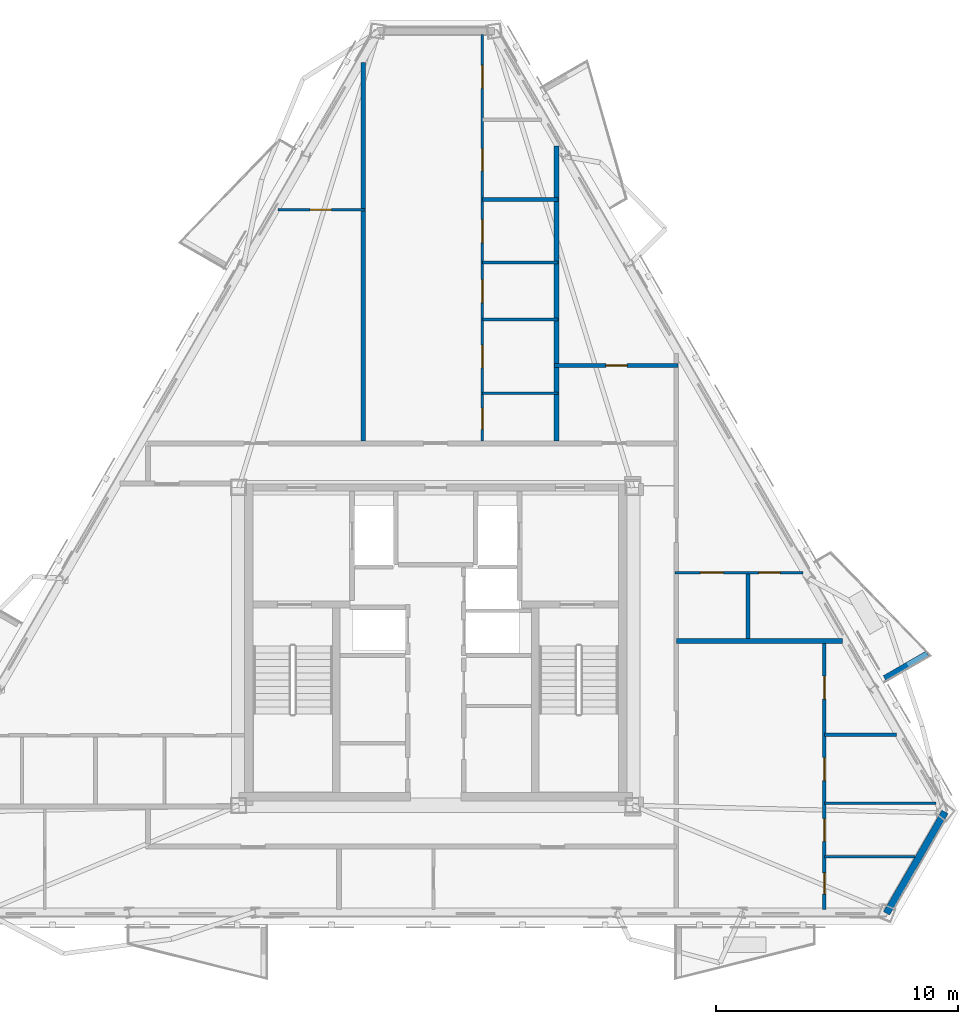
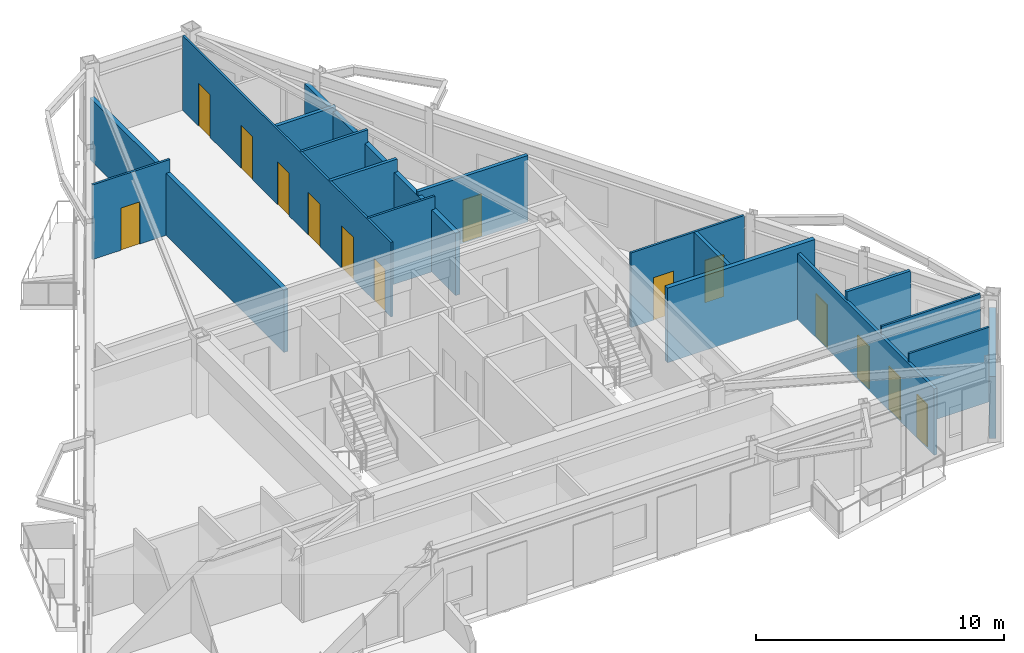
# One storey, part 5 of 9: 18 walls, 14 doors, 14 openings.
"""IFC4 building model written with IfcOpenShell, lengths in metres."""

from ifc_helpers import new_model, si_unit, direction, frame, frame_2d, origin, place, context, subcontext, project, spatial, polyline, rectangle, outline, extrude, material, layer, layer_set, type_object, element, fill, save


model = new_model("IFC4")

# Units and contexts
model_context = context("Model", 3, precision=1e-05, world=origin(), true_north=direction((0.0, 1.0)))
body_context = subcontext(model_context, "Body", "Model", "MODEL_VIEW")
ifc_project = project(units=[si_unit("LENGTHUNIT", "METRE"), si_unit("AREAUNIT", "SQUARE_METRE"), si_unit("VOLUMEUNIT", "CUBIC_METRE"), si_unit("PLANEANGLEUNIT", "RADIAN"), si_unit("MASSUNIT", "GRAM", prefix="KILO")], contexts=[model_context])

# Site, building, storey
site_placement = place(None, origin())
site = spatial("IfcSite", under=ifc_project, at=site_placement, CompositionType="ELEMENT")
building_placement = place(site_placement, origin())
building = spatial("IfcBuilding", under=site, at=building_placement, Name="Oramaril Tower", CompositionType="ELEMENT")
storey_placement = place(building_placement, frame((0.0, 0.0, 269.39990234375)))
storey = spatial("IfcBuildingStorey", under=building, at=storey_placement, Name="L71", CompositionType="ELEMENT", Elevation=269.39990234375)

# Walls
ifc_material_1 = material(Name="Warm Cream Limestone", Category="masonry")
ifc_layer_1 = layer(ifc_material_1, 0.2900390625)
ifc_layer_set_1 = layer_set([ifc_layer_1], Name="WT-EXT29")
wall_type_1 = type_object("IfcWallType", Name="WT-EXT29", PredefinedType="SOLIDWALL", material=ifc_layer_set_1)
wall_1_placement = place(storey_placement, frame((56.14794921875, 6.53466796875, 0.0), z_axis=(0.0, 0.0, 1.0), x_axis=(0.499973841066, 0.866040506125, 0.0)))
element("IfcWall", 1, at=wall_1_placement, inside=storey, type_object=wall_type_1, Name="L71 Tower Limestone Facade Wall 3M", PredefinedType="SOLIDWALL", context=body_context, shape_type="SweptSolid", body=[
    extrude(rectangle(XDim=4.847900390625, YDim=0.2900390625, at=frame_2d((2.423828125, 0.0))), origin(), (0.0, 0.0, 1.0), 3.05810546875),
])
ifc_material_2 = material(Name="Concrete C40/50", Category="concrete")
ifc_layer_2 = layer(ifc_material_2, 0.22998046875)
ifc_layer_set_2 = layer_set([ifc_layer_2], Name="WT-PRP23")
wall_type_2 = type_object("IfcWallType", Name="WT-PRP23", PredefinedType="PARAPET", material=ifc_layer_set_2)
wall_2_placement = place(storey_placement, frame((56.070068359375, 16.262451171875, 0.0), z_axis=(0.0, 0.0, 1.0), x_axis=(0.866012356593, 0.500022597718, 0.0)))
element("IfcWall", 2, at=wall_2_placement, inside=storey, type_object=wall_type_2, Name="L71 Trapezoidal Balcony Frame Cheek L71-BAL-NE1-L", PredefinedType="PARAPET", context=body_context, shape_type="SweptSolid", body=[
    extrude(outline(polyline([(0.0, 0.0), (2.0419921875, 0.0), (2.0419921875, 1.10009765625), (0.0, 1.320068359375), (0.0, 0.0)])), frame((0.0, 0.114990234375, 0.0), z_axis=(0.0, -1.0, 0.0), x_axis=(1.0, 0.0, 0.0)), (0.0, 0.0, 1.0), 0.22998046875),
])
ifc_material_3 = material(Name="Acoustic Gypsum Board Partition")
ifc_layer_3 = layer(ifc_material_3, 0.10009765625)
ifc_layer_set_3 = layer_set([ifc_layer_3], Name="WT-PT10")
wall_type_3 = type_object("IfcWallType", Name="WT-PT10", PredefinedType="PARTITIONING", material=ifc_layer_set_3)
wall_3_placement = place(storey_placement, frame((53.581298828125, 8.8798828125, 0.0), z_axis=(0.0, 0.0, 1.0), x_axis=(1.0, 0.0, 0.0)))
element("IfcWall", 3, at=wall_3_placement, inside=storey, type_object=wall_type_3, Name="L71 Interior Partition PT-10", PredefinedType="PARTITIONING", context=body_context, shape_type="SweptSolid", body=[
    extrude(rectangle(XDim=3.74853515625, YDim=0.10009765625, at=frame_2d((1.874267578125, 0.0))), origin(), (0.0, 0.0, 1.0), 3.68017578125),
])
wall_4_placement = place(storey_placement, frame((53.581298828125, 11.090087890625, 0.0), z_axis=(0.0, 0.0, 1.0), x_axis=(1.0, 0.0, 0.0)))
element("IfcWall", 4, at=wall_4_placement, inside=storey, type_object=wall_type_3, Name="L71 Interior Partition PT-10", PredefinedType="PARTITIONING", context=body_context, shape_type="SweptSolid", body=[
    extrude(rectangle(XDim=4.6123046875, YDim=0.10009765625, at=frame_2d((2.30615234375, 0.0))), origin(), (0.0, 0.0, 1.0), 3.68017578125),
])

# Wall, openings, doors
wall_5_placement = place(storey_placement, frame((47.39990234375, 20.6298828125, 0.0), z_axis=(0.0, 0.0, 1.0), x_axis=(1.0, 0.0, 0.0)))
wall_5 = element("IfcWall", 5, at=wall_5_placement, inside=storey, type_object=wall_type_3, Name="L71 Interior Partition PT-10", PredefinedType="PARTITIONING", context=body_context, shape_type="SweptSolid", body=[
    extrude(rectangle(XDim=5.285888671875, YDim=0.10009765625, at=frame_2d((2.64306640625, 0.0))), origin(), (0.0, 0.0, 1.0), 3.68017578125),
])
opening_1_placement = place(wall_5_placement, frame((1.04541015625, 0.0, 0.0)))
opening_1 = element("IfcOpeningElement", 6, at=opening_1_placement, cuts=wall_5, Name="Opening D-L71-07", PredefinedType="OPENING", context=body_context, shape_type="SweptSolid", body=[
    extrude(rectangle(XDim=0.949951171875, YDim=2.10009765625, at=frame_2d((0.47509765625, 1.050048828125))), frame((0.0, 0.050048828125, 0.0), z_axis=(0.0, -1.0, 0.0), x_axis=(1.0, 0.0, 0.0)), (0.0, 0.0, 1.0), 0.10009765625),
])
opening_2_placement = place(wall_5_placement, frame((3.464111328125, 0.0, 0.0)))
opening_2 = element("IfcOpeningElement", 7, at=opening_2_placement, cuts=wall_5, Name="Opening D-L71-08", PredefinedType="OPENING", context=body_context, shape_type="SweptSolid", body=[
    extrude(rectangle(XDim=0.8798828125, YDim=2.080078125, at=frame_2d((0.43994140625, 1.0400390625))), frame((0.0, 0.050048828125, 0.0), z_axis=(0.0, -1.0, 0.0), x_axis=(1.0, 0.0, 0.0)), (0.0, 0.0, 1.0), 0.10009765625),
])
ifc_material_4 = material(Name="FSC Brazilian Freijo Hardwood", Category="wood")
door_type_1 = type_object("IfcDoorType", Name="DT-BATH", OperationType="NOTDEFINED", PredefinedType="DOOR", material=ifc_material_4)
door_1_placement = place(opening_2_placement, origin())
door_1 = element("IfcDoor", 8, at=door_1_placement, inside=storey, type_object=door_type_1, Name="L71 Flat L71-U5 Bathroom Door D-L71-08", OperationType="SINGLE_SWING_LEFT", OverallHeight=2.080078125, OverallWidth=0.8798828125, PredefinedType="DOOR", context=body_context, shape_type="SweptSolid", body=[
    extrude(rectangle(XDim=0.8798828125, YDim=2.080078125, at=frame_2d((0.43994140625, 1.0400390625))), frame((0.0, 0.02490234375, 0.0), z_axis=(0.0, -1.0, 0.0), x_axis=(1.0, 0.0, 0.0)), (0.0, 0.0, 1.0), 0.050048828125),
])
fill(opening_2, door_1)
ifc_material_5 = material(Name="FSC Brazilian Freijo Hardwood", Category="wood")
door_type_2 = type_object("IfcDoorType", Name="DT-STDY", OperationType="NOTDEFINED", PredefinedType="DOOR", material=ifc_material_5)
door_2_placement = place(opening_1_placement, origin())
door_2 = element("IfcDoor", 9, at=door_2_placement, inside=storey, type_object=door_type_2, Name="L71 Flat L71-U5 Kitchen Door D-L71-07", OperationType="SINGLE_SWING_RIGHT", OverallHeight=2.10009765625, OverallWidth=0.949951171875, PredefinedType="DOOR", context=body_context, shape_type="SweptSolid", body=[
    extrude(rectangle(XDim=0.949951171875, YDim=2.10009765625, at=frame_2d((0.47509765625, 1.050048828125))), frame((0.0, 0.02490234375, 0.0), z_axis=(0.0, -1.0, 0.0), x_axis=(1.0, 0.0, 0.0)), (0.0, 0.0, 1.0), 0.050048828125),
])
fill(opening_1, door_2)

# Wall
wall_6_placement = place(storey_placement, frame((39.429931640625, 28.050048828125, 0.0), z_axis=(0.0, 0.0, 1.0), x_axis=(1.0, 0.0, 0.0)))
element("IfcWall", 10, at=wall_6_placement, inside=storey, type_object=wall_type_3, Name="L71 Interior Partition PT-10", PredefinedType="PARTITIONING", context=body_context, shape_type="SweptSolid", body=[
    extrude(rectangle(XDim=3.1201171875, YDim=0.10009765625, at=frame_2d((1.56005859375, 0.0))), origin(), (0.0, 0.0, 1.0), 3.68017578125),
])

# Wall, opening, door
wall_7_placement = place(storey_placement, frame((30.980224609375, 35.639892578125, 0.0), z_axis=(0.0, 0.0, 1.0), x_axis=(1.0, 0.0, 0.0)))
wall_7 = element("IfcWall", 11, at=wall_7_placement, inside=storey, type_object=wall_type_3, Name="L71 Interior Partition PT-10", PredefinedType="PARTITIONING", context=body_context, shape_type="SweptSolid", body=[
    extrude(rectangle(XDim=3.601806640625, YDim=0.10009765625, at=frame_2d((1.80078125, 0.0))), origin(), (0.0, 0.0, 1.0), 3.68017578125),
])
opening_3_placement = place(wall_7_placement, frame((1.319580078125, 0.0, 0.0)))
opening_3 = element("IfcOpeningElement", 12, at=opening_3_placement, cuts=wall_7, Name="Opening D-L71-14", PredefinedType="OPENING", context=body_context, shape_type="SweptSolid", body=[
    extrude(rectangle(XDim=0.8798828125, YDim=2.080078125, at=frame_2d((0.43994140625, 1.0400390625))), frame((0.0, 0.050048828125, 0.0), z_axis=(0.0, -1.0, 0.0), x_axis=(1.0, 0.0, 0.0)), (0.0, 0.0, 1.0), 0.10009765625),
])
door_3_placement = place(opening_3_placement, origin())
door_3 = element("IfcDoor", 13, at=door_3_placement, inside=storey, type_object=door_type_1, Name="L71 Flat L71-U6 Bathroom Door D-L71-14", OperationType="SINGLE_SWING_LEFT", OverallHeight=2.080078125, OverallWidth=0.8798828125, PredefinedType="DOOR", context=body_context, shape_type="SweptSolid", body=[
    extrude(rectangle(XDim=0.8798828125, YDim=2.080078125, at=frame_2d((0.43994140625, 1.0400390625))), frame((0.0, 0.02490234375, 0.0), z_axis=(0.0, -1.0, 0.0), x_axis=(1.0, 0.0, 0.0)), (0.0, 0.0, 1.0), 0.050048828125),
])
fill(opening_3, door_3)

# Wall, openings, doors
wall_8_placement = place(storey_placement, frame((39.429931640625, 26.073974609375, 0.0), z_axis=(0.0, 0.0, 1.0), x_axis=(0.0, 1.0, 0.0)))
wall_8 = element("IfcWall", 14, at=wall_8_placement, inside=storey, type_object=wall_type_3, Name="L71 Interior Partition PT-10", PredefinedType="PARTITIONING", context=body_context, shape_type="SweptSolid", body=[
    extrude(rectangle(XDim=16.809326171875, YDim=0.10009765625, at=frame_2d((8.40478515625, 0.0))), origin(), (0.0, 0.0, 1.0), 3.68017578125),
])
opening_4_placement = place(wall_8_placement, frame((0.47900390625, 0.0, 0.0)))
opening_4 = element("IfcOpeningElement", 15, at=opening_4_placement, cuts=wall_8, Name="Opening D-L71-17", PredefinedType="OPENING", context=body_context, shape_type="SweptSolid", body=[
    extrude(rectangle(XDim=0.8798828125, YDim=2.080078125, at=frame_2d((0.43994140625, 1.0400390625))), frame((0.0, 0.050048828125, 0.0), z_axis=(0.0, -1.0, 0.0), x_axis=(1.0, 0.0, 0.0)), (0.0, 0.0, 1.0), 0.10009765625),
])
opening_5_placement = place(wall_8_placement, frame((3.021728515625, 0.0, 0.0)))
opening_5 = element("IfcOpeningElement", 16, at=opening_5_placement, cuts=wall_8, Name="Opening D-L71-18", PredefinedType="OPENING", context=body_context, shape_type="SweptSolid", body=[
    extrude(rectangle(XDim=0.949951171875, YDim=2.10009765625, at=frame_2d((0.47509765625, 1.050048828125))), frame((0.0, 0.050048828125, 0.0), z_axis=(0.0, -1.0, 0.0), x_axis=(1.0, 0.0, 0.0)), (0.0, 0.0, 1.0), 0.10009765625),
])
opening_6_placement = place(wall_8_placement, frame((5.728515625, 0.0, 0.0)))
opening_6 = element("IfcOpeningElement", 17, at=opening_6_placement, cuts=wall_8, Name="Opening D-L71-19", PredefinedType="OPENING", context=body_context, shape_type="SweptSolid", body=[
    extrude(rectangle(XDim=0.949951171875, YDim=2.10009765625, at=frame_2d((0.47509765625, 1.050048828125))), frame((0.0, 0.050048828125, 0.0), z_axis=(0.0, -1.0, 0.0), x_axis=(1.0, 0.0, 0.0)), (0.0, 0.0, 1.0), 0.10009765625),
])
opening_7_placement = place(wall_8_placement, frame((8.2099609375, 0.0, 0.0)))
opening_7 = element("IfcOpeningElement", 18, at=opening_7_placement, cuts=wall_8, Name="Opening D-L71-20", PredefinedType="OPENING", context=body_context, shape_type="SweptSolid", body=[
    extrude(rectangle(XDim=0.949951171875, YDim=2.10009765625, at=frame_2d((0.47509765625, 1.050048828125))), frame((0.0, 0.050048828125, 0.0), z_axis=(0.0, -1.0, 0.0), x_axis=(1.0, 0.0, 0.0)), (0.0, 0.0, 1.0), 0.10009765625),
])
opening_8_placement = place(wall_8_placement, frame((11.178955078125, 0.0, 0.0)))
opening_8 = element("IfcOpeningElement", 19, at=opening_8_placement, cuts=wall_8, Name="Opening D-L71-21", PredefinedType="OPENING", context=body_context, shape_type="SweptSolid", body=[
    extrude(rectangle(XDim=0.919921875, YDim=2.1201171875, at=frame_2d((0.4599609375, 1.06005859375))), frame((0.0, 0.050048828125, 0.0), z_axis=(0.0, -1.0, 0.0), x_axis=(1.0, 0.0, 0.0)), (0.0, 0.0, 1.0), 0.10009765625),
])
opening_9_placement = place(wall_8_placement, frame((14.5908203125, 0.0, 0.0)))
opening_9 = element("IfcOpeningElement", 20, at=opening_9_placement, cuts=wall_8, Name="Opening D-L71-22", PredefinedType="OPENING", context=body_context, shape_type="SweptSolid", body=[
    extrude(rectangle(XDim=0.949951171875, YDim=2.10009765625, at=frame_2d((0.47509765625, 1.050048828125))), frame((0.0, 0.050048828125, 0.0), z_axis=(0.0, -1.0, 0.0), x_axis=(1.0, 0.0, 0.0)), (0.0, 0.0, 1.0), 0.10009765625),
])
door_4_placement = place(opening_4_placement, origin())
door_4 = element("IfcDoor", 21, at=door_4_placement, inside=storey, type_object=door_type_1, Name="L71 Flat L71-U7 Bathroom Door D-L71-17", OperationType="SINGLE_SWING_RIGHT", OverallHeight=2.080078125, OverallWidth=0.8798828125, PredefinedType="DOOR", context=body_context, shape_type="SweptSolid", body=[
    extrude(rectangle(XDim=0.8798828125, YDim=2.080078125, at=frame_2d((0.43994140625, 1.0400390625))), frame((0.0, 0.02490234375, 0.0), z_axis=(0.0, -1.0, 0.0), x_axis=(1.0, 0.0, 0.0)), (0.0, 0.0, 1.0), 0.050048828125),
])
fill(opening_4, door_4)
ifc_material_6 = material(Name="FSC Brazilian Freijo Hardwood", Category="wood")
door_type_3 = type_object("IfcDoorType", Name="DT-BED", OperationType="NOTDEFINED", PredefinedType="DOOR", material=ifc_material_6)
door_5_placement = place(opening_8_placement, origin())
door_5 = element("IfcDoor", 22, at=door_5_placement, inside=storey, type_object=door_type_3, Name="L71 Flat L71-U7 Bedroom 2 Door D-L71-21", OperationType="SINGLE_SWING_RIGHT", OverallHeight=2.1201171875, OverallWidth=0.919921875, PredefinedType="DOOR", context=body_context, shape_type="SweptSolid", body=[
    extrude(rectangle(XDim=0.919921875, YDim=2.1201171875, at=frame_2d((0.4599609375, 1.06005859375))), frame((0.0, 0.02490234375, 0.0), z_axis=(0.0, -1.0, 0.0), x_axis=(1.0, 0.0, 0.0)), (0.0, 0.0, 1.0), 0.050048828125),
])
fill(opening_8, door_5)
door_6_placement = place(opening_5_placement, origin())
door_6 = element("IfcDoor", 23, at=door_6_placement, inside=storey, type_object=door_type_2, Name="L71 Flat L71-U7 Kitchen Door D-L71-18", OperationType="SINGLE_SWING_LEFT", OverallHeight=2.10009765625, OverallWidth=0.949951171875, PredefinedType="DOOR", context=body_context, shape_type="SweptSolid", body=[
    extrude(rectangle(XDim=0.949951171875, YDim=2.10009765625, at=frame_2d((0.47509765625, 1.050048828125))), frame((0.0, 0.02490234375, 0.0), z_axis=(0.0, -1.0, 0.0), x_axis=(1.0, 0.0, 0.0)), (0.0, 0.0, 1.0), 0.050048828125),
])
fill(opening_5, door_6)
door_7_placement = place(opening_6_placement, origin())
door_7 = element("IfcDoor", 24, at=door_7_placement, inside=storey, type_object=door_type_2, Name="L71 Flat L71-U7 Private Dining Room Door D-L71-19", OperationType="SINGLE_SWING_RIGHT", OverallHeight=2.10009765625, OverallWidth=0.949951171875, PredefinedType="DOOR", context=body_context, shape_type="SweptSolid", body=[
    extrude(rectangle(XDim=0.949951171875, YDim=2.10009765625, at=frame_2d((0.47509765625, 1.050048828125))), frame((0.0, 0.02490234375, 0.0), z_axis=(0.0, -1.0, 0.0), x_axis=(1.0, 0.0, 0.0)), (0.0, 0.0, 1.0), 0.050048828125),
])
fill(opening_6, door_7)
door_8_placement = place(opening_7_placement, origin())
door_8 = element("IfcDoor", 25, at=door_8_placement, inside=storey, type_object=door_type_2, Name="L71 Flat L71-U7 Dining Room Door D-L71-20", OperationType="SINGLE_SWING_LEFT", OverallHeight=2.10009765625, OverallWidth=0.949951171875, PredefinedType="DOOR", context=body_context, shape_type="SweptSolid", body=[
    extrude(rectangle(XDim=0.949951171875, YDim=2.10009765625, at=frame_2d((0.47509765625, 1.050048828125))), frame((0.0, 0.02490234375, 0.0), z_axis=(0.0, -1.0, 0.0), x_axis=(1.0, 0.0, 0.0)), (0.0, 0.0, 1.0), 0.050048828125),
])
fill(opening_7, door_8)
door_9_placement = place(opening_9_placement, origin())
door_9 = element("IfcDoor", 26, at=door_9_placement, inside=storey, type_object=door_type_2, Name="L71 Flat L71-U7 Breakfast Dining Room Door D-L71-22", OperationType="SINGLE_SWING_LEFT", OverallHeight=2.10009765625, OverallWidth=0.949951171875, PredefinedType="DOOR", context=body_context, shape_type="SweptSolid", body=[
    extrude(rectangle(XDim=0.949951171875, YDim=2.10009765625, at=frame_2d((0.47509765625, 1.050048828125))), frame((0.0, 0.02490234375, 0.0), z_axis=(0.0, -1.0, 0.0), x_axis=(1.0, 0.0, 0.0)), (0.0, 0.0, 1.0), 0.050048828125),
])
fill(opening_9, door_9)

# Walls
ifc_material_7 = material(Name="Acoustic Gypsum Board Partition")
ifc_layer_4 = layer(ifc_material_7, 0.1201171875)
ifc_layer_set_4 = layer_set([ifc_layer_4], Name="WT-PT12")
wall_type_4 = type_object("IfcWallType", Name="WT-PT12", PredefinedType="PARTITIONING", material=ifc_layer_set_4)
wall_9_placement = place(storey_placement, frame((39.429931640625, 33.4599609375, 0.0), z_axis=(0.0, 0.0, 1.0), x_axis=(1.0, 0.0, 0.0)))
element("IfcWall", 27, at=wall_9_placement, inside=storey, type_object=wall_type_4, Name="L71 Interior Partition PT-12", PredefinedType="PARTITIONING", context=body_context, shape_type="SweptSolid", body=[
    extrude(rectangle(XDim=3.1201171875, YDim=0.1201171875, at=frame_2d((1.56005859375, 0.0))), origin(), (0.0, 0.0, 1.0), 3.68017578125),
])
ifc_material_8 = material(Name="Acoustic Gypsum Board Partition")
ifc_layer_5 = layer(ifc_material_8, 0.139892578125)
ifc_layer_set_5 = layer_set([ifc_layer_5], Name="WT-PT14")
wall_type_5 = type_object("IfcWallType", Name="WT-PT14", PredefinedType="PARTITIONING", material=ifc_layer_set_5)
wall_10_placement = place(storey_placement, frame((53.581298828125, 13.919921875, 0.0), z_axis=(0.0, 0.0, 1.0), x_axis=(1.0, 0.0, 0.0)))
element("IfcWall", 28, at=wall_10_placement, inside=storey, type_object=wall_type_5, Name="L71 Interior Partition PT-14", PredefinedType="PARTITIONING", context=body_context, shape_type="SweptSolid", body=[
    extrude(rectangle(XDim=2.978515625, YDim=0.139892578125, at=frame_2d((1.4892578125, 0.0))), origin(), (0.0, 0.0, 1.0), 3.68017578125),
])
wall_11_placement = place(storey_placement, frame((39.429931640625, 31.10009765625, 0.0), z_axis=(0.0, 0.0, 1.0), x_axis=(1.0, 0.0, 0.0)))
element("IfcWall", 29, at=wall_11_placement, inside=storey, type_object=wall_type_5, Name="L71 Interior Partition PT-14", PredefinedType="PARTITIONING", context=body_context, shape_type="SweptSolid", body=[
    extrude(rectangle(XDim=3.1201171875, YDim=0.139892578125, at=frame_2d((1.56005859375, 0.0))), origin(), (0.0, 0.0, 1.0), 3.68017578125),
])

# Wall, openings, doors
wall_12_placement = place(storey_placement, frame((53.580078125, 6.68359375, 0.0), z_axis=(0.0, 0.0, 1.0), x_axis=(0.0, 1.0, 0.0)))
wall_12 = element("IfcWall", 30, at=wall_12_placement, inside=storey, type_object=wall_type_5, Name="L71 Interior Partition PT-14", PredefinedType="PARTITIONING", context=body_context, shape_type="SweptSolid", body=[
    extrude(rectangle(XDim=11.012451171875, YDim=0.139892578125, at=frame_2d((5.50634765625, 0.0))), origin(), (0.0, 0.0, 1.0), 3.26611328125),
])
opening_10_placement = place(wall_12_placement, frame((0.64208984375, 0.0, 0.0)))
opening_10 = element("IfcOpeningElement", 31, at=opening_10_placement, cuts=wall_12, Name="Opening D-L71-25", PredefinedType="OPENING", context=body_context, shape_type="SweptSolid", body=[
    extrude(rectangle(XDim=0.8798828125, YDim=2.080078125, at=frame_2d((0.43994140625, 1.0400390625))), frame((0.0, 0.06982421875, 0.0), z_axis=(0.0, -1.0, 0.0), x_axis=(1.0, 0.0, 0.0)), (0.0, 0.0, 1.0), 0.139892578125),
])
opening_11_placement = place(wall_12_placement, frame((2.822509765625, 0.0, 0.0)))
opening_11 = element("IfcOpeningElement", 32, at=opening_11_placement, cuts=wall_12, Name="Opening D-L71-26", PredefinedType="OPENING", context=body_context, shape_type="SweptSolid", body=[
    extrude(rectangle(XDim=0.949951171875, YDim=2.10009765625, at=frame_2d((0.47509765625, 1.050048828125))), frame((0.0, 0.06982421875, 0.0), z_axis=(0.0, -1.0, 0.0), x_axis=(1.0, 0.0, 0.0)), (0.0, 0.0, 1.0), 0.139892578125),
])
opening_12_placement = place(wall_12_placement, frame((5.343505859375, 0.0, 0.0)))
opening_12 = element("IfcOpeningElement", 33, at=opening_12_placement, cuts=wall_12, Name="Opening D-L71-27", PredefinedType="OPENING", context=body_context, shape_type="SweptSolid", body=[
    extrude(rectangle(XDim=0.949951171875, YDim=2.10009765625, at=frame_2d((0.47509765625, 1.050048828125))), frame((0.0, 0.06982421875, 0.0), z_axis=(0.0, -1.0, 0.0), x_axis=(1.0, 0.0, 0.0)), (0.0, 0.0, 1.0), 0.139892578125),
])
opening_13_placement = place(wall_12_placement, frame((8.715576171875, 0.0, 0.0)))
opening_13 = element("IfcOpeningElement", 34, at=opening_13_placement, cuts=wall_12, Name="Opening D-L71-28", PredefinedType="OPENING", context=body_context, shape_type="SweptSolid", body=[
    extrude(rectangle(XDim=0.949951171875, YDim=2.10009765625, at=frame_2d((0.47509765625, 1.050048828125))), frame((0.0, 0.06982421875, 0.0), z_axis=(0.0, -1.0, 0.0), x_axis=(1.0, 0.0, 0.0)), (0.0, 0.0, 1.0), 0.139892578125),
])
door_10_placement = place(opening_10_placement, origin())
door_10 = element("IfcDoor", 35, at=door_10_placement, inside=storey, type_object=door_type_1, Name="L71 Flat L71-U4 Bathroom Door D-L71-25", OperationType="SINGLE_SWING_RIGHT", OverallHeight=2.080078125, OverallWidth=0.8798828125, PredefinedType="DOOR", context=body_context, shape_type="SweptSolid", body=[
    extrude(rectangle(XDim=0.8798828125, YDim=2.080078125, at=frame_2d((0.43994140625, 1.0400390625))), frame((0.0, 0.02490234375, 0.0), z_axis=(0.0, -1.0, 0.0), x_axis=(1.0, 0.0, 0.0)), (0.0, 0.0, 1.0), 0.050048828125),
])
fill(opening_10, door_10)
door_11_placement = place(opening_11_placement, origin())
door_11 = element("IfcDoor", 36, at=door_11_placement, inside=storey, type_object=door_type_2, Name="L71 Flat L71-U4 Kitchen Door D-L71-26", OperationType="SINGLE_SWING_LEFT", OverallHeight=2.10009765625, OverallWidth=0.949951171875, PredefinedType="DOOR", context=body_context, shape_type="SweptSolid", body=[
    extrude(rectangle(XDim=0.949951171875, YDim=2.10009765625, at=frame_2d((0.47509765625, 1.050048828125))), frame((0.0, 0.02490234375, 0.0), z_axis=(0.0, -1.0, 0.0), x_axis=(1.0, 0.0, 0.0)), (0.0, 0.0, 1.0), 0.050048828125),
])
fill(opening_11, door_11)
door_12_placement = place(opening_12_placement, origin())
door_12 = element("IfcDoor", 37, at=door_12_placement, inside=storey, type_object=door_type_2, Name="L71 Flat L71-U4 Reading Study Door D-L71-27", OperationType="SINGLE_SWING_RIGHT", OverallHeight=2.10009765625, OverallWidth=0.949951171875, PredefinedType="DOOR", context=body_context, shape_type="SweptSolid", body=[
    extrude(rectangle(XDim=0.949951171875, YDim=2.10009765625, at=frame_2d((0.47509765625, 1.050048828125))), frame((0.0, 0.02490234375, 0.0), z_axis=(0.0, -1.0, 0.0), x_axis=(1.0, 0.0, 0.0)), (0.0, 0.0, 1.0), 0.050048828125),
])
fill(opening_12, door_12)
door_13_placement = place(opening_13_placement, origin())
door_13 = element("IfcDoor", 38, at=door_13_placement, inside=storey, type_object=door_type_2, Name="L71 Flat L71-U4 Breakfast Dining Room Door D-L71-28", OperationType="SINGLE_SWING_LEFT", OverallHeight=2.10009765625, OverallWidth=0.949951171875, PredefinedType="DOOR", context=body_context, shape_type="SweptSolid", body=[
    extrude(rectangle(XDim=0.949951171875, YDim=2.10009765625, at=frame_2d((0.47509765625, 1.050048828125))), frame((0.0, 0.02490234375, 0.0), z_axis=(0.0, -1.0, 0.0), x_axis=(1.0, 0.0, 0.0)), (0.0, 0.0, 1.0), 0.050048828125),
])
fill(opening_13, door_13)

# Wall, opening, door
ifc_material_9 = material(Name="Acoustic Gypsum Board Partition")
ifc_layer_6 = layer(ifc_material_9, 0.159912109375)
ifc_layer_set_6 = layer_set([ifc_layer_6], Name="WT-PT16")
wall_type_6 = type_object("IfcWallType", Name="WT-PT16", PredefinedType="PARTITIONING", material=ifc_layer_set_6)
wall_13_placement = place(storey_placement, frame((42.41796875, 29.199951171875, 0.0), z_axis=(0.0, 0.0, 1.0), x_axis=(1.0, 0.0, 0.0)))
wall_13 = element("IfcWall", 39, at=wall_13_placement, inside=storey, type_object=wall_type_6, Name="L71 Interior Partition PT-16", PredefinedType="PARTITIONING", context=body_context, shape_type="SweptSolid", body=[
    extrude(rectangle(XDim=5.114013671875, YDim=0.159912109375, at=frame_2d((2.55712890625, 0.0))), origin(), (0.0, 0.0, 1.0), 3.26611328125),
])
opening_14_placement = place(wall_13_placement, frame((2.116943359375, 0.0, 0.0)))
opening_14 = element("IfcOpeningElement", 40, at=opening_14_placement, cuts=wall_13, Name="Opening D-L71-13", PredefinedType="OPENING", context=body_context, shape_type="SweptSolid", body=[
    extrude(rectangle(XDim=0.8798828125, YDim=2.080078125, at=frame_2d((0.43994140625, 1.0400390625))), frame((0.0, 0.080078125, 0.0), z_axis=(0.0, -1.0, 0.0), x_axis=(1.0, 0.0, 0.0)), (0.0, 0.0, 1.0), 0.159912109375),
])
door_14_placement = place(opening_14_placement, origin())
door_14 = element("IfcDoor", 41, at=door_14_placement, inside=storey, type_object=door_type_1, Name="L71 Flat L71-U8 Bathroom Door D-L71-13", OperationType="SINGLE_SWING_RIGHT", OverallHeight=2.080078125, OverallWidth=0.8798828125, PredefinedType="DOOR", context=body_context, shape_type="SweptSolid", body=[
    extrude(rectangle(XDim=0.8798828125, YDim=2.080078125, at=frame_2d((0.43994140625, 1.0400390625))), frame((0.0, 0.02490234375, 0.0), z_axis=(0.0, -1.0, 0.0), x_axis=(1.0, 0.0, 0.0)), (0.0, 0.0, 1.0), 0.050048828125),
])
fill(opening_14, door_14)

# Walls
wall_14_placement = place(storey_placement, frame((39.429931640625, 36.06005859375, 0.0), z_axis=(0.0, 0.0, 1.0), x_axis=(1.0, 0.0, 0.0)))
element("IfcWall", 42, at=wall_14_placement, inside=storey, type_object=wall_type_6, Name="L71 Interior Partition PT-16", PredefinedType="PARTITIONING", context=body_context, shape_type="SweptSolid", body=[
    extrude(rectangle(XDim=3.1201171875, YDim=0.159912109375, at=frame_2d((1.56005859375, 0.0))), origin(), (0.0, 0.0, 1.0), 3.26611328125),
])
wall_15_placement = place(storey_placement, frame((50.419921875, 17.904052734375, 0.0), z_axis=(0.0, 0.0, 1.0), x_axis=(0.0, 1.0, 0.0)))
element("IfcWall", 43, at=wall_15_placement, inside=storey, type_object=wall_type_6, Name="L71 Interior Partition PT-16", PredefinedType="PARTITIONING", context=body_context, shape_type="SweptSolid", body=[
    extrude(rectangle(XDim=2.671875, YDim=0.159912109375, at=frame_2d((1.3359375, 0.0))), origin(), (0.0, 0.0, 1.0), 3.68017578125),
])
ifc_material_10 = material(Name="Autoclaved Cellular Concrete Block", Category="concrete")
ifc_layer_7 = layer(ifc_material_10, 0.199951171875)
ifc_layer_set_7 = layer_set([ifc_layer_7], Name="WT-PT20")
wall_type_7 = type_object("IfcWallType", Name="WT-PT20", PredefinedType="PARTITIONING", material=ifc_layer_set_7)
wall_16_placement = place(storey_placement, frame((47.449951171875, 17.800048828125, 0.0), z_axis=(0.0, 0.0, 1.0), x_axis=(1.0, 0.0, 0.0)))
element("IfcWall", 44, at=wall_16_placement, inside=storey, type_object=wall_type_7, Name="L71 Interior Partition PT-20", PredefinedType="PARTITIONING", context=body_context, shape_type="SweptSolid", body=[
    extrude(rectangle(XDim=6.86962890625, YDim=0.199951171875, at=frame_2d((3.434814453125, 0.0))), origin(), (0.0, 0.0, 1.0), 3.68017578125),
])
wall_17_placement = place(storey_placement, frame((34.5, 26.073974609375, 0.0), z_axis=(0.0, 0.0, 1.0), x_axis=(0.0, 1.0, 0.0)))
element("IfcWall", 45, at=wall_17_placement, inside=storey, type_object=wall_type_7, Name="L71 Interior Partition PT-20", PredefinedType="PARTITIONING", context=body_context, shape_type="SweptSolid", body=[
    extrude(rectangle(XDim=15.662353515625, YDim=0.199951171875, at=frame_2d((7.8310546875, 0.0))), origin(), (0.0, 0.0, 1.0), 3.05810546875),
])
wall_18_placement = place(storey_placement, frame((42.5, 26.073974609375, 0.0), z_axis=(0.0, 0.0, 1.0), x_axis=(0.0, 1.0, 0.0)))
element("IfcWall", 46, at=wall_18_placement, inside=storey, type_object=wall_type_7, Name="L71 Interior Partition PT-20", PredefinedType="PARTITIONING", context=body_context, shape_type="SweptSolid", body=[
    extrude(rectangle(XDim=12.1982421875, YDim=0.199951171875, at=frame_2d((6.09912109375, 0.0))), origin(), (0.0, 0.0, 1.0), 3.05810546875),
])

save(model, "model.ifc")
